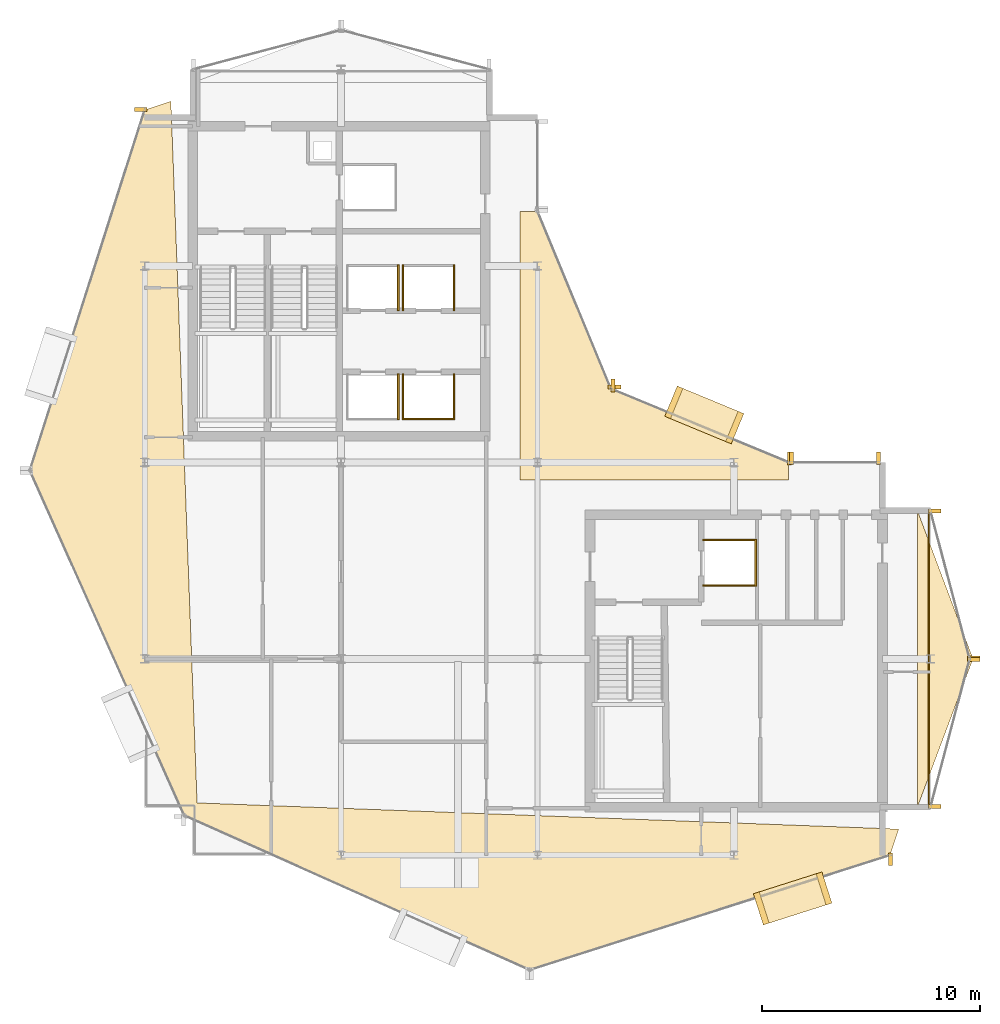
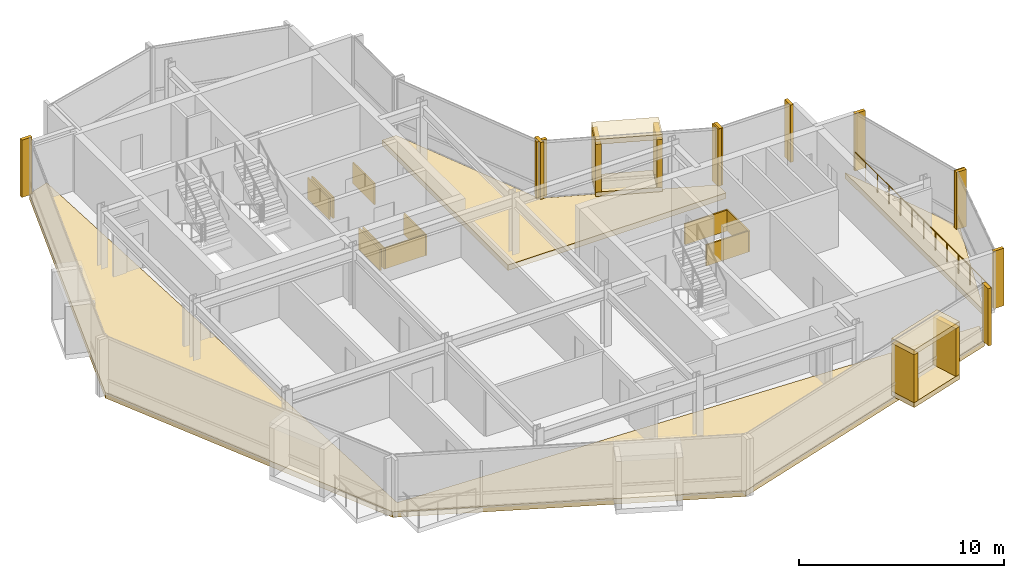
# One storey, part 18 of 19: 32 coverings, 1 railing.
"""IFC4 building model written with IfcOpenShell, lengths in metres."""

from ifc_helpers import new_model, si_unit, direction, frame, origin, origin_2d, place, context, subcontext, project, spatial, polyline, rectangle, circle, outline, extrude, material, layer, layer_set, type_object, element, save


model = new_model("IFC4")

# Units and contexts
model_context = context("Model", 3, precision=1e-05, world=origin(), true_north=direction((0.0, 1.0)))
body_context = subcontext(model_context, "Body", "Model", "MODEL_VIEW")
ifc_project = project(units=[si_unit("LENGTHUNIT", "METRE"), si_unit("AREAUNIT", "SQUARE_METRE"), si_unit("VOLUMEUNIT", "CUBIC_METRE"), si_unit("PLANEANGLEUNIT", "RADIAN"), si_unit("MASSUNIT", "GRAM", prefix="KILO")], contexts=[model_context])

# Site, building, storey
site_placement = place(None, origin())
site = spatial("IfcSite", under=ifc_project, at=site_placement, CompositionType="ELEMENT")
building_placement = place(site_placement, origin())
building = spatial("IfcBuilding", under=site, at=building_placement, Name="Solvaryn Broadcast Tower", CompositionType="ELEMENT")
storey_placement = place(building_placement, frame((0.0, 0.0, 255.60009765625)))
storey = spatial("IfcBuildingStorey", under=building, at=storey_placement, Name="L64", CompositionType="ELEMENT", Elevation=255.60009765625)

# Coverings
ifc_material_1 = material(Name="Fire-Rated Gypsum Shaftwall Liner", Category="concrete")
ifc_layer_1 = layer(ifc_material_1, 0.080078125)
ifc_layer_set_1 = layer_set([ifc_layer_1], Name="CV-SHAFT-LINER")
covering_type_1 = type_object("IfcCoveringType", Name="CV-SHAFT-LINER", PredefinedType="CLADDING", material=ifc_layer_set_1)
covering_1_placement = place(storey_placement, frame((20.614990234375, 30.0, 0.0), z_axis=(0.0, 0.0, 1.0), x_axis=(1.0, 0.0, 0.0)))
element("IfcCovering", 1, at=covering_1_placement, inside=storey, type_object=covering_type_1, Name="L64 PH1 Hoistway Shaft Liner East", PredefinedType="CLADDING", context=body_context, shape_type="SweptSolid", body=[
    extrude(rectangle(XDim=0.080078125, YDim=2.110107421875, at=origin_2d()), origin(), (0.0, 0.0, 1.0), 1.25),
])
covering_2_placement = place(storey_placement, frame((22.0, 28.985107421875, 0.0), z_axis=(0.0, 0.0, 1.0), x_axis=(1.0, 0.0, 0.0)))
element("IfcCovering", 2, at=covering_2_placement, inside=storey, type_object=covering_type_1, Name="L64 PH2 Hoistway Shaft Liner South", PredefinedType="CLADDING", context=body_context, shape_type="SweptSolid", body=[
    extrude(rectangle(XDim=2.409912109375, YDim=0.080078125, at=origin_2d()), origin(), (0.0, 0.0, 1.0), 1.25),
])
for number, where, z_axis, x_axis, name in (
    (3, (23.1650390625, 30.0, 0.0), (0.0, 0.0, 1.0), (1.0, 0.0, 0.0), "L64 PH2 Hoistway Shaft Liner East"),
    (4, (20.8349609375, 30.0, 0.0), (0.0, 0.0, 1.0), (1.0, 0.0, 0.0), "L64 PH2 Hoistway Shaft Liner West"),
    (5, (20.614990234375, 35.0, 0.0), (0.0, 0.0, 1.0), (1.0, 0.0, 0.0), "L64 PH3 Hoistway Shaft Liner East"),
    (6, (23.1650390625, 35.0, 0.0), (0.0, 0.0, 1.0), (1.0, 0.0, 0.0), "L64 PH4 Hoistway Shaft Liner East"),
    (7, (20.8349609375, 35.0, 0.0), (0.0, 0.0, 1.0), (1.0, 0.0, 0.0), "L64 PH4 Hoistway Shaft Liner West"),
):
    element("IfcCovering", number, at=place(storey_placement, frame(where, z_axis=z_axis, x_axis=x_axis)), inside=storey, type_object=covering_type_1, Name=name, PredefinedType="CLADDING", context=body_context, shape_type="SweptSolid", body=[
        extrude(rectangle(XDim=0.080078125, YDim=2.110107421875, at=origin_2d()), origin(), (0.0, 0.0, 1.0), 1.25),
    ])
for number, where, z_axis, x_axis, name in (
    (8, (35.800048828125, 23.43994140625, 0.0), (0.0, 0.0, 1.0), (1.0, 0.0, 0.0), "L64 FL2 Hoistway Shaft Liner North"),
    (9, (35.800048828125, 21.360107421875, 0.0), (0.0, 0.0, 1.0), (1.0, 0.0, 0.0), "L64 FL2 Hoistway Shaft Liner South"),
):
    element("IfcCovering", number, at=place(storey_placement, frame(where, z_axis=z_axis, x_axis=x_axis)), inside=storey, type_object=covering_type_1, Name=name, PredefinedType="CLADDING", context=body_context, shape_type="SweptSolid", body=[
        extrude(rectangle(XDim=2.4599609375, YDim=0.080078125, at=origin_2d()), origin(), (0.0, 0.0, 1.0), 1.25),
    ])
covering_3_placement = place(storey_placement, frame((36.989990234375, 22.39990234375, 0.0), z_axis=(0.0, 0.0, 1.0), x_axis=(1.0, 0.0, 0.0)))
element("IfcCovering", 10, at=covering_3_placement, inside=storey, type_object=covering_type_1, Name="L64 FL2 Hoistway Shaft Liner East", PredefinedType="CLADDING", context=body_context, shape_type="SweptSolid", body=[
    extrude(rectangle(XDim=0.080078125, YDim=2.159912109375, at=origin_2d()), origin(), (0.0, 0.0, 1.0), 1.25),
])
ifc_material_2 = material(Name="Glazed Architectural Terracotta Rainscreen Cladding", Category="masonry")
ifc_layer_2 = layer(ifc_material_2, 0.280029296875)
ifc_layer_set_2 = layer_set([ifc_layer_2], Name="CV-TC-CLAD")
covering_type_2 = type_object("IfcCoveringType", Name="CV-TC-CLAD", PredefinedType="CLADDING", material=ifc_layer_set_2)
for number, where, z_axis, x_axis, name in (
    (11, (38.68603515625, 7.02197265625, 3.1298828125), (0.0, 0.0, 1.0), (0.952820541996, 0.303534206887, 0.0), "L64 Projecting Stone Window Box Hood 4"),
    (12, (38.68603515625, 7.02197265625, -0.01025390625), (0.0, 0.0, 1.0), (0.952820541996, 0.303534206887, 0.0), "L64 Projecting Stone Window Box Sill 4"),
):
    element("IfcCovering", number, at=place(storey_placement, frame(where, z_axis=z_axis, x_axis=x_axis)), inside=storey, type_object=covering_type_2, Name=name, PredefinedType="CLADDING", context=body_context, shape_type="SweptSolid", body=[
        extrude(rectangle(XDim=3.300048828125, YDim=1.5, at=origin_2d()), origin(), (0.0, 0.0, 1.0), 0.300048828125),
    ])
for number, where, z_axis, x_axis, name in (
    (13, (37.247314453125, 6.563720703125, 0.27978515625), (0.0, 0.0, 1.0), (0.952820541996, 0.303534206887, 0.0), "L64 Projecting Stone Window Box Cheek 4-1"),
    (14, (40.124755859375, 7.480224609375, 0.27978515625), (0.0, 0.0, 1.0), (0.952820541996, 0.303534206887, 0.0), "L64 Projecting Stone Window Box Cheek 4-2"),
):
    element("IfcCovering", number, at=place(storey_placement, frame(where, z_axis=z_axis, x_axis=x_axis)), inside=storey, type_object=covering_type_2, Name=name, PredefinedType="CLADDING", context=body_context, shape_type="SweptSolid", body=[
        extrude(rectangle(XDim=0.280029296875, YDim=1.5, at=origin_2d()), origin(), (0.0, 0.0, 1.0), 2.860107421875),
    ])
for number, where, z_axis, x_axis, name in (
    (15, (34.636962890625, 29.174072265625, 3.1298828125), (0.0, 0.0, 1.0), (-0.923879532511, 0.382683432365, 0.0), "L64 Projecting Stone Window Box Hood 5"),
    (16, (34.636962890625, 29.174072265625, -0.01025390625), (0.0, 0.0, 1.0), (-0.923879532511, 0.382683432365, 0.0), "L64 Projecting Stone Window Box Sill 5"),
):
    element("IfcCovering", number, at=place(storey_placement, frame(where, z_axis=z_axis, x_axis=x_axis)), inside=storey, type_object=covering_type_2, Name=name, PredefinedType="CLADDING", context=body_context, shape_type="SweptSolid", body=[
        extrude(rectangle(XDim=3.300048828125, YDim=1.5, at=origin_2d()), origin(), (0.0, 0.0, 1.0), 0.300048828125),
    ])
for number, where, z_axis, x_axis, name in (
    (17, (36.031982421875, 28.59619140625, 0.27978515625), (0.0, 0.0, 1.0), (-0.923879532511, 0.382683432365, 0.0), "L64 Projecting Stone Window Box Cheek 5-1"),
    (18, (33.241943359375, 29.751953125, 0.27978515625), (0.0, 0.0, 1.0), (-0.923879532511, 0.382683432365, 0.0), "L64 Projecting Stone Window Box Cheek 5-2"),
):
    element("IfcCovering", number, at=place(storey_placement, frame(where, z_axis=z_axis, x_axis=x_axis)), inside=storey, type_object=covering_type_2, Name=name, PredefinedType="CLADDING", context=body_context, shape_type="SweptSolid", body=[
        extrude(rectangle(XDim=0.280029296875, YDim=1.5, at=origin_2d()), origin(), (0.0, 0.0, 1.0), 2.860107421875),
    ])
ifc_material_3 = material(Name="Extruded Architectural Terracotta Fin", Category="masonry")
ifc_layer_3 = layer(ifc_material_3, 0.179931640625)
ifc_layer_set_3 = layer_set([ifc_layer_3], Name="CV-TC-FIN")
covering_type_3 = type_object("IfcCoveringType", Name="CV-TC-FIN", PredefinedType="USERDEFINED", material=ifc_layer_set_3)
covering_4_placement = place(storey_placement, frame((8.819091796875, 43.17529296875, 0.0), z_axis=(0.0, 0.0, 1.0), x_axis=(1.0, 0.0, 0.0)))
element("IfcCovering", 19, at=covering_4_placement, inside=storey, type_object=covering_type_3, Name="L64 Terracotta Vertical Fin FIN-L64-DR1-M00", ObjectType="FIN", PredefinedType="USERDEFINED", context=body_context, shape_type="SweptSolid", body=[
    extrude(rectangle(XDim=0.580078125, YDim=0.179931640625, at=origin_2d()), origin(), (0.0, 0.0, 1.0), 3.419921875),
])
for number, where, z_axis, x_axis, name in (
    (20, (43.17529296875, 8.819091796875, 0.0), (0.0, 0.0, 1.0), (1.0, 0.0, 0.0), "L64 Terracotta Vertical Fin FIN-L64-DR4-M01"),
    (21, (38.541259765625, 27.177978515625, 0.0), (0.0, 0.0, 1.0), (1.0, 0.0, 0.0), "L64 Terracotta Vertical Fin FIN-L64-CN1-M00"),
    (22, (30.464599609375, 30.52294921875, 0.0), (0.0, 0.0, 1.0), (1.0, 0.0, 0.0), "L64 Terracotta Vertical Fin FIN-L64-CN1-M01"),
):
    element("IfcCovering", number, at=place(storey_placement, frame(where, z_axis=z_axis, x_axis=x_axis)), inside=storey, type_object=covering_type_3, Name=name, ObjectType="FIN", PredefinedType="USERDEFINED", context=body_context, shape_type="SweptSolid", body=[
        extrude(rectangle(XDim=0.179931640625, YDim=0.580078125, at=origin_2d()), origin(), (0.0, 0.0, 1.0), 3.419921875),
    ])
for number, where, z_axis, x_axis, name in (
    (23, (30.52294921875, 30.464599609375, 0.0), (0.0, 0.0, 1.0), (1.0, 0.0, 0.0), "L64 Terracotta Vertical Fin FIN-L64-CN2-M00"),
    (24, (45.1953125, 24.77099609375, 0.0), (0.0, 0.0, 1.0), (1.0, 0.0, 0.0), "L64 Terracotta Vertical Fin FIN-L64-ET1-M00"),
    (25, (46.979736328125, 18.029052734375, 0.0), (0.0, 0.0, 1.0), (1.0, 0.0, 0.0), "L64 Terracotta Vertical Fin FIN-L64-ET1-M01"),
    (26, (46.979736328125, 17.970947265625, 0.0), (0.0, 0.0, 1.0), (1.0, 0.0, 0.0), "L64 Terracotta Vertical Fin FIN-L64-ET2-M00"),
    (27, (45.1953125, 11.22900390625, 0.0), (0.0, 0.0, 1.0), (1.0, 0.0, 0.0), "L64 Terracotta Vertical Fin FIN-L64-ET2-M01"),
):
    element("IfcCovering", number, at=place(storey_placement, frame(where, z_axis=z_axis, x_axis=x_axis)), inside=storey, type_object=covering_type_3, Name=name, ObjectType="FIN", PredefinedType="USERDEFINED", context=body_context, shape_type="SweptSolid", body=[
        extrude(rectangle(XDim=0.580078125, YDim=0.179931640625, at=origin_2d()), origin(), (0.0, 0.0, 1.0), 3.419921875),
    ])
for number, where, z_axis, x_axis, name in (
    (28, (38.6298828125, 27.1875, 0.0), (0.0, 0.0, 1.0), (1.0, 0.0, 0.0), "L64 Terracotta Vertical Fin FIN-L64-IH-M00"),
    (29, (42.6201171875, 27.1875, 0.0), (0.0, 0.0, 1.0), (1.0, 0.0, 0.0), "L64 Terracotta Vertical Fin FIN-L64-IH-M01"),
):
    element("IfcCovering", number, at=place(storey_placement, frame(where, z_axis=z_axis, x_axis=x_axis)), inside=storey, type_object=covering_type_3, Name=name, ObjectType="FIN", PredefinedType="USERDEFINED", context=body_context, shape_type="SweptSolid", body=[
        extrude(rectangle(XDim=0.179931640625, YDim=0.580078125, at=origin_2d()), origin(), (0.0, 0.0, 1.0), 3.419921875),
    ])
ifc_material_4 = material(Name="Sculpted Architectural Terracotta Wave Fascia", Category="masonry")
ifc_layer_4 = layer(ifc_material_4, 0.340087890625)
ifc_layer_set_4 = layer_set([ifc_layer_4], Name="CV-WAVE-TRAY")
covering_type_4 = type_object("IfcCoveringType", Name="CV-WAVE-TRAY", PredefinedType="CLADDING", material=ifc_layer_set_4)
covering_5_placement = place(storey_placement, frame((0.0, 0.0, -0.300048828125)))
element("IfcCovering", 30, at=covering_5_placement, inside=storey, type_object=covering_type_4, Name="L64 Stepped Cylindrical Drum Floor Apron", PredefinedType="CLADDING", context=body_context, shape_type="SweptSolid", body=[
    extrude(outline(polyline([(10.199951171875, 43.549072265625), (9.0, 43.14892578125), (3.738037109375, 26.635986328125), (10.81689453125, 10.81689453125), (26.635986328125, 3.738037109375), (43.14892578125, 9.0), (43.14892578125, 9.0), (43.549072265625, 10.199951171875), (11.39990234375, 11.39990234375), (10.199951171875, 43.549072265625)])), origin(), (0.0, 0.0, 1.0), 0.329833984375),
])
covering_6_placement = place(storey_placement, frame((0.0, 0.0, -0.300048828125)))
element("IfcCovering", 31, at=covering_6_placement, inside=storey, type_object=covering_type_4, Name="L64 Concave Canyon Floor Apron", PredefinedType="CLADDING", context=body_context, shape_type="SweptSolid", body=[
    extrude(outline(polyline([(26.199951171875, 26.199951171875), (38.5, 26.199951171875), (38.5, 27.0), (30.367919921875, 30.367919921875), (27.0, 38.5), (26.199951171875, 38.5), (26.199951171875, 26.199951171875)])), origin(), (0.0, 0.0, 1.0), 0.329833984375),
])
covering_7_placement = place(storey_placement, frame((0.0, 0.0, -0.300048828125)))
element("IfcCovering", 32, at=covering_7_placement, inside=storey, type_object=covering_type_4, Name="L64 East Curved Wing Deck", PredefinedType="CLADDING", context=body_context, shape_type="SweptSolid", body=[
    extrude(outline(polyline([(44.39990234375, 11.199951171875), (46.949951171875, 18.0), (44.39990234375, 24.800048828125), (44.39990234375, 11.199951171875)])), origin(), (0.0, 0.0, 1.0), 0.329833984375),
])

# Railing
ifc_material_5 = material(Name="Stainless Steel and Laminated Glass Guard", Category="steel")
railing_type = type_object("IfcRailingType", Name="RL-TER-1150", PredefinedType="BALUSTRADE", material=ifc_material_5)
railing_placement = place(storey_placement, frame((44.919921875, 11.199951171875, 0.0)))
element("IfcRailing", 33, at=railing_placement, inside=storey, type_object=railing_type, Name="L64 East Wing Spandrel Edge Guard", PredefinedType="BALUSTRADE", context=body_context, shape_type="SweptSolid", body=[
    extrude(circle(Radius=0.02392578125, at=origin_2d()), frame((0.0, 0.0, 1.1259765625), z_axis=(0.0, 1.0, 0.0), x_axis=(-1.0, 0.0, 0.0)), (0.0, 0.0, 1.0), 13.60009765625),
    extrude(circle(Radius=0.02099609375, at=origin_2d()), origin(), (0.0, 0.0, 1.0), 1.101806640625),
    extrude(circle(Radius=0.02099609375, at=origin_2d()), frame((0.0, 1.13330078125, 0.0)), (0.0, 0.0, 1.0), 1.101806640625),
    extrude(circle(Radius=0.02099609375, at=origin_2d()), frame((0.0, 2.2666015625, 0.0)), (0.0, 0.0, 1.0), 1.101806640625),
    extrude(circle(Radius=0.02099609375, at=origin_2d()), frame((0.0, 3.39990234375, 0.0)), (0.0, 0.0, 1.0), 1.101806640625),
    extrude(circle(Radius=0.02099609375, at=origin_2d()), frame((0.0, 4.533447265625, 0.0)), (0.0, 0.0, 1.0), 1.101806640625),
    extrude(circle(Radius=0.02099609375, at=origin_2d()), frame((0.0, 5.666748046875, 0.0)), (0.0, 0.0, 1.0), 1.101806640625),
    extrude(circle(Radius=0.02099609375, at=origin_2d()), frame((0.0, 6.800048828125, 0.0)), (0.0, 0.0, 1.0), 1.101806640625),
    extrude(circle(Radius=0.02099609375, at=origin_2d()), frame((0.0, 7.933349609375, 0.0)), (0.0, 0.0, 1.0), 1.101806640625),
    extrude(circle(Radius=0.02099609375, at=origin_2d()), frame((0.0, 9.066650390625, 0.0)), (0.0, 0.0, 1.0), 1.101806640625),
    extrude(circle(Radius=0.02099609375, at=origin_2d()), frame((0.0, 10.2001953125, 0.0)), (0.0, 0.0, 1.0), 1.101806640625),
    extrude(circle(Radius=0.02099609375, at=origin_2d()), frame((0.0, 11.33349609375, 0.0)), (0.0, 0.0, 1.0), 1.101806640625),
    extrude(circle(Radius=0.02099609375, at=origin_2d()), frame((0.0, 12.466796875, 0.0)), (0.0, 0.0, 1.0), 1.101806640625),
    extrude(circle(Radius=0.02099609375, at=origin_2d()), frame((0.0, 13.60009765625, 0.0)), (0.0, 0.0, 1.0), 1.101806640625),
])

save(model, "model.ifc")
